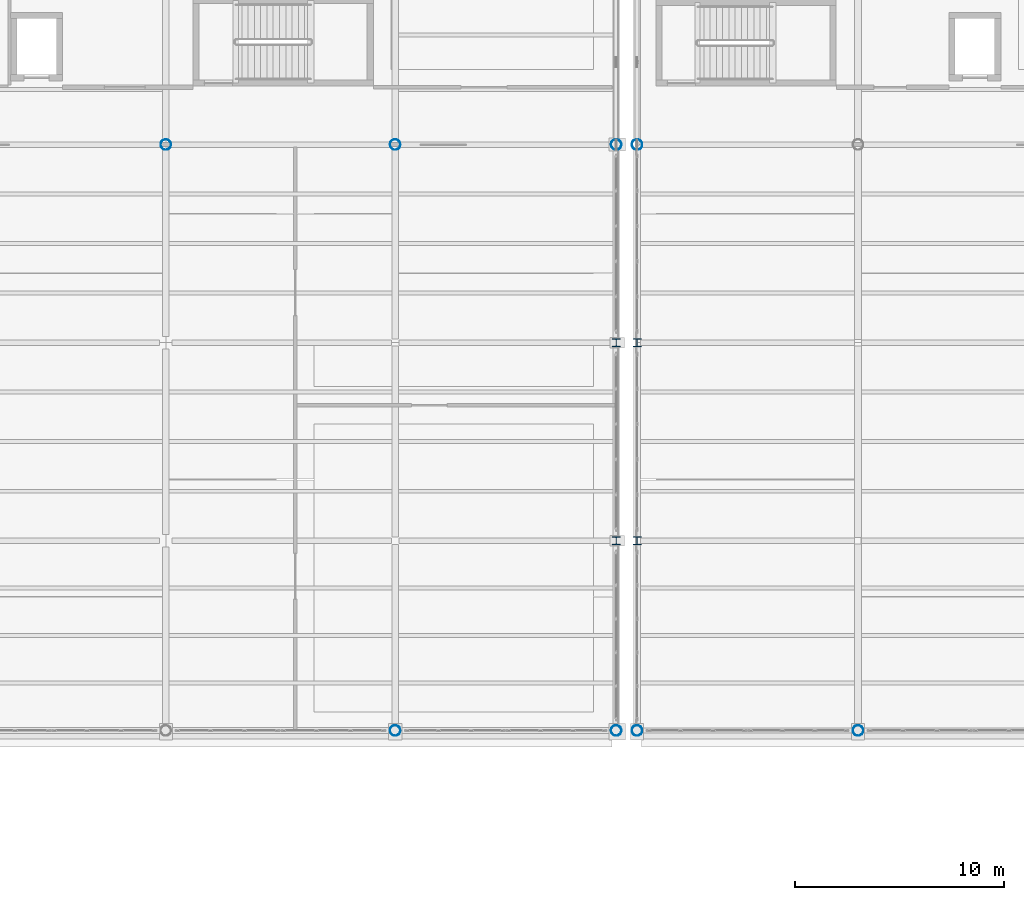
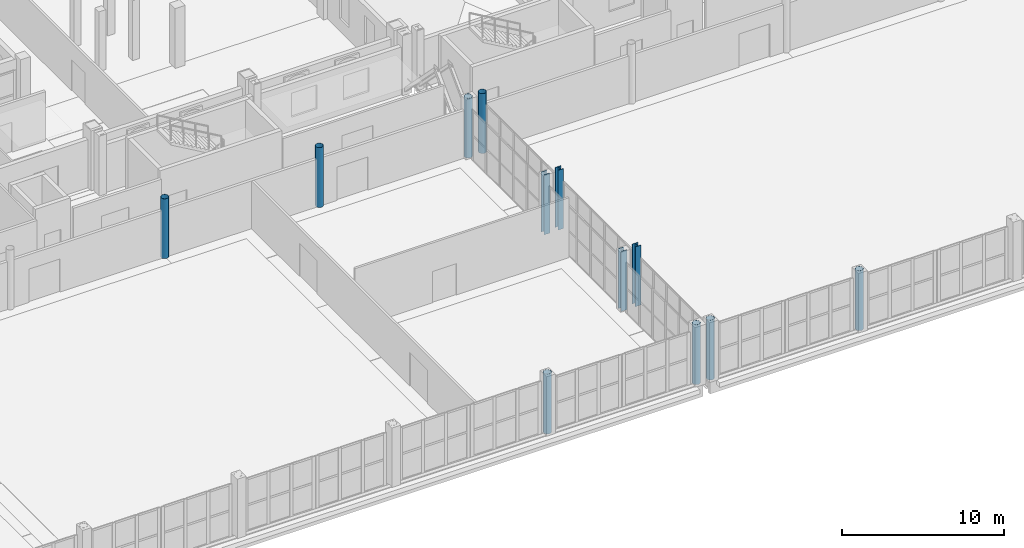
# One storey, part 3 of 156: 12 columns.
"""IFC4 building model written with IfcOpenShell, lengths in metres."""

from ifc_helpers import new_model, si_unit, direction, frame, origin, origin_2d, place, context, subcontext, project, spatial, hollow_circle, i_section, extrude, material, material_profile, profile_set, type_object, element, save


model = new_model("IFC4")

# Units and contexts
model_context = context("Model", 3, precision=1e-05, world=origin(), true_north=direction((0.0, 1.0)))
body_context = subcontext(model_context, "Body", "Model", "MODEL_VIEW")
ifc_project = project(units=[si_unit("LENGTHUNIT", "METRE"), si_unit("AREAUNIT", "SQUARE_METRE"), si_unit("VOLUMEUNIT", "CUBIC_METRE"), si_unit("PLANEANGLEUNIT", "RADIAN"), si_unit("MASSUNIT", "GRAM", prefix="KILO")], contexts=[model_context])

# Site, building, storey
site_placement = place(None, origin())
site = spatial("IfcSite", under=ifc_project, at=site_placement, CompositionType="ELEMENT")
building_placement = place(site_placement, origin())
building = spatial("IfcBuilding", under=site, at=building_placement, Name="Caurita Quay Ferry Terminal", CompositionType="ELEMENT")
storey_placement = place(building_placement, frame((0.0, 0.0, 5.39990234375)))
storey = spatial("IfcBuildingStorey", under=building, at=storey_placement, Name="L01", CompositionType="ELEMENT", Elevation=5.39990234375)

# Columns
ifc_material_1 = material(Name="Hollow structural steel ASTM A500 Gr. C", Category="steel")
ifc_material_profile_1 = material_profile(ifc_material_1, hollow_circle(Radius=0.25390625, WallThickness=0.01171875, at=origin_2d()), Name="HSS20.000X0.500")
ifc_profile_set_1 = profile_set([ifc_material_profile_1], Name="Hollow structural steel ASTM A500 Gr. C")
column_type_1 = type_object("IfcColumnType", Name="COL-MST-01", PredefinedType="COLUMN", material=ifc_profile_set_1)
for number, where, z_axis, x_axis, name in (
    (1, (66.0, 62.699951171875, 0.0), (0.0, 0.0, 1.0), (1.0, 0.0, 0.0), "L01 Column V1-MST-07-N"),
    (2, (77.0, 34.60009765625, 0.0), (0.0, 0.0, 1.0), (1.0, 0.0, 0.0), "L01 Column V1-MST-08-S"),
    (3, (77.0, 62.699951171875, 0.0), (0.0, 0.0, 1.0), (1.0, 0.0, 0.0), "L01 Column V1-MST-08-N"),
    (4, (87.60009765625, 34.60009765625, 0.0), (0.0, 0.0, 1.0), (1.0, 0.0, 0.0), "L01 Column V1-MST-09-S"),
    (5, (87.60009765625, 62.699951171875, 0.0), (0.0, 0.0, 1.0), (1.0, 0.0, 0.0), "L01 Column V1-MST-09-N"),
    (6, (88.60009765625, 34.60009765625, 0.0), (0.0, 0.0, 1.0), (1.0, 0.0, 0.0), "L01 Column V2-MST-10-S"),
    (7, (88.60009765625, 62.699951171875, 0.0), (0.0, 0.0, 1.0), (1.0, 0.0, 0.0), "L01 Column V2-MST-10-N"),
    (8, (99.199951171875, 34.60009765625, 0.0), (0.0, 0.0, 1.0), (1.0, 0.0, 0.0), "L01 Column V2-MST-11-S"),
):
    element("IfcColumn", number, at=place(storey_placement, frame(where, z_axis=z_axis, x_axis=x_axis)), inside=storey, type_object=column_type_1, Name=name, PredefinedType="COLUMN", context=body_context, shape_type="SweptSolid", body=[
        extrude(hollow_circle(Radius=0.25390625, WallThickness=0.01171875, at=origin_2d()), origin(), (0.0, 0.0, 1.0), 4.5),
    ])
ifc_material_2 = material(Name="Structural steel ASTM A992 Gr. 50", Category="steel")
ifc_material_profile_2 = material_profile(ifc_material_2, i_section(OverallWidth=0.398681640625, OverallDepth=0.393798828125, WebThickness=0.022705078125, FlangeThickness=0.03662109375, FilletRadius=0.017822265625, at=origin_2d()), Name="W14X193")
ifc_profile_set_2 = profile_set([ifc_material_profile_2], Name="Structural steel ASTM A992 Gr. 50")
column_type_2 = type_object("IfcColumnType", Name="COL-STL-04", PredefinedType="COLUMN", material=ifc_profile_set_2)
for number, where, z_axis, x_axis, name in (
    (9, (87.60009765625, 43.699951171875, 0.0), (0.0, 0.0, 1.0), (1.0, 0.0, 0.0), "L01 Column V1-GBL-09-G"),
    (10, (87.60009765625, 53.199951171875, 0.0), (0.0, 0.0, 1.0), (1.0, 0.0, 0.0), "L01 Column V1-GBL-09-H"),
):
    element("IfcColumn", number, at=place(storey_placement, frame(where, z_axis=z_axis, x_axis=x_axis)), inside=storey, type_object=column_type_2, Name=name, PredefinedType="COLUMN", context=body_context, shape_type="SweptSolid", body=[
        extrude(i_section(OverallWidth=0.398681640625, OverallDepth=0.393798828125, WebThickness=0.022705078125, FlangeThickness=0.03662109375, FilletRadius=0.017822265625, at=origin_2d()), origin(), (0.0, 0.0, 1.0), 4.5),
    ])
ifc_material_profile_3 = material_profile(ifc_material_2, i_section(OverallWidth=0.393798828125, OverallDepth=0.3759765625, WebThickness=0.017333984375, FlangeThickness=0.027587890625, FilletRadius=0.017822265625, at=origin_2d()), Name="W14X145")
ifc_profile_set_3 = profile_set([ifc_material_profile_3], Name="Structural steel ASTM A992 Gr. 50")
column_type_3 = type_object("IfcColumnType", Name="COL-STL-06", PredefinedType="COLUMN", material=ifc_profile_set_3)
for number, where, z_axis, x_axis, name in (
    (11, (88.60009765625, 43.699951171875, 0.0), (0.0, 0.0, 1.0), (1.0, 0.0, 0.0), "L01 Column V2-GBL-10-G"),
    (12, (88.60009765625, 53.199951171875, 0.0), (0.0, 0.0, 1.0), (1.0, 0.0, 0.0), "L01 Column V2-GBL-10-H"),
):
    element("IfcColumn", number, at=place(storey_placement, frame(where, z_axis=z_axis, x_axis=x_axis)), inside=storey, type_object=column_type_3, Name=name, PredefinedType="COLUMN", context=body_context, shape_type="SweptSolid", body=[
        extrude(i_section(OverallWidth=0.393798828125, OverallDepth=0.3759765625, WebThickness=0.017333984375, FlangeThickness=0.027587890625, FilletRadius=0.017822265625, at=origin_2d()), origin(), (0.0, 0.0, 1.0), 4.5),
    ])

save(model, "model.ifc")
